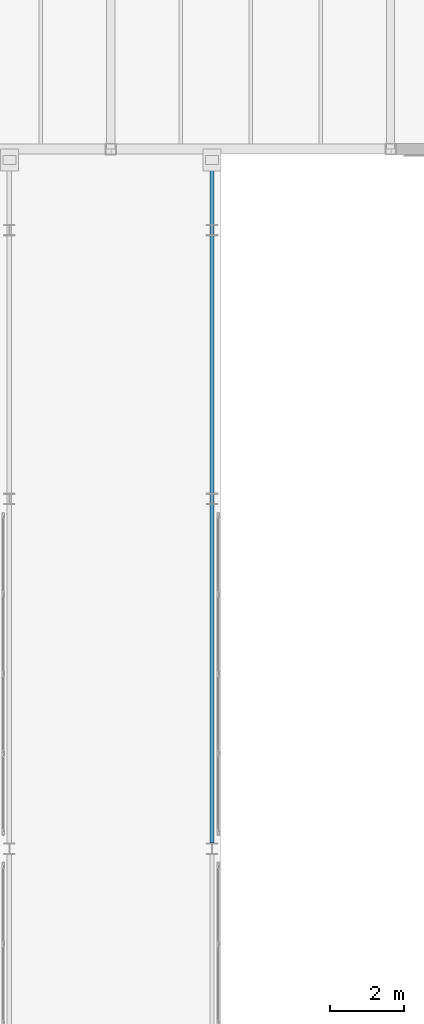
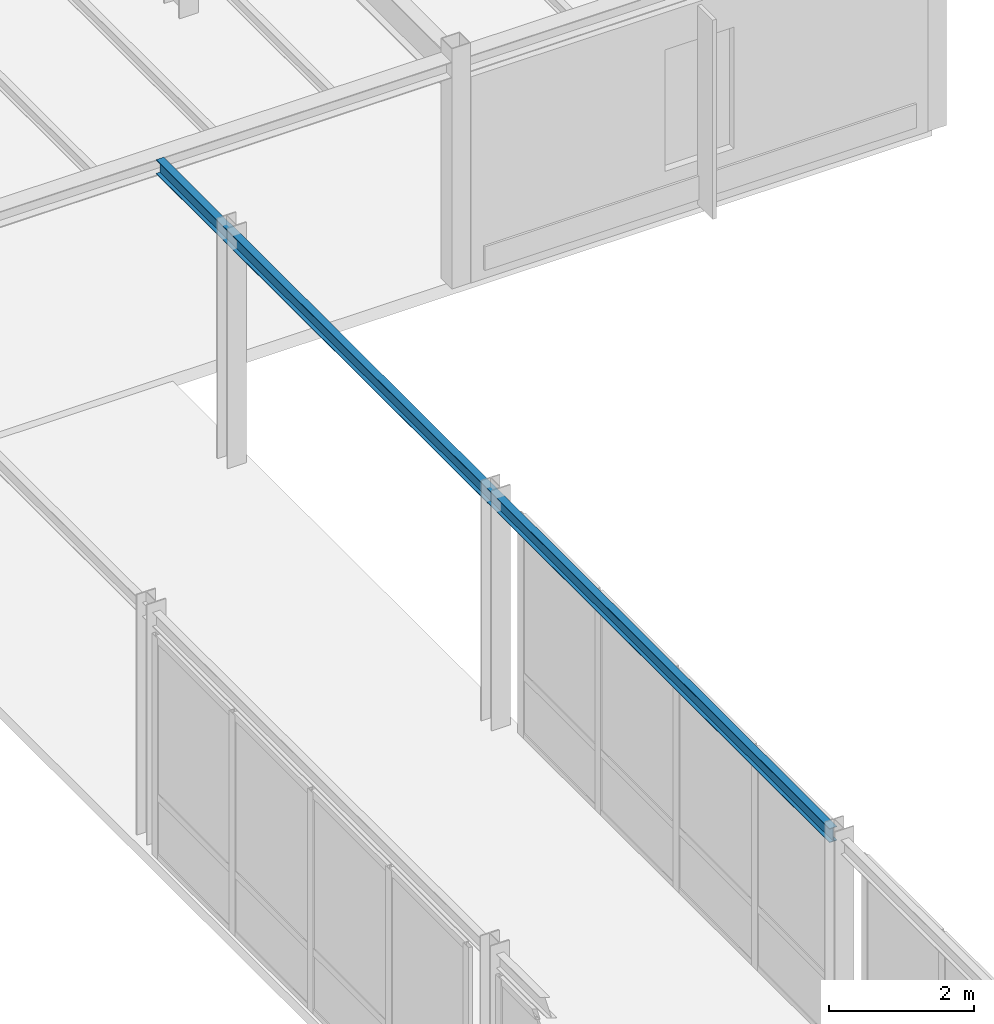
# One storey, part 46 of 165: 1 beam.
"""IFC4 building model written with IfcOpenShell, lengths in metres."""

import ifcopenshell
import ifcopenshell.guid

model = None  # the IFC model being written
_history = None  # IfcOwnerHistory: only IFC2X3 demands one
_inside = {}  # id of a spatial element -> (the spatial element, [elements in it])
_under = {}  # id of a project, library or spatial element -> (it, [spatial elements below it])
_declared = {}  # id of a project -> (the project, [libraries it declares])
_typed = {}  # id of a type object -> (the type object, [elements of that type])
_made_of = {}  # id of a material, layer set ... -> (it, [elements and type objects made of it])


def new_model(schema):
    """Start an empty IFC model of exactly this schema.

    Asked for "IFC4X3", IfcOpenShell would pick the latest addendum, in which some entities
    have other attributes; the version numbers below select the first issue.
    IFC2X3 requires an IfcOwnerHistory on every rooted entity: one is made here for all.
    """
    global model, _history
    if schema == "IFC4X3":
        model = ifcopenshell.file(schema_version=(4, 3, 0, 0))
    else:
        model = ifcopenshell.file(schema=schema)
    _inside.clear()
    _under.clear()
    _declared.clear()
    _typed.clear()
    _made_of.clear()
    _history = None
    if model.schema == "IFC2X3":
        org = make("IfcOrganization", Name="unknown")
        user = make(
            "IfcPersonAndOrganization",
            ThePerson=make("IfcPerson", FamilyName="unknown"),
            TheOrganization=org,
        )
        app = make(
            "IfcApplication",
            ApplicationDeveloper=org,
            Version="unknown",
            ApplicationFullName="unknown",
            ApplicationIdentifier="unknown",
        )
        _history = make(
            "IfcOwnerHistory",
            OwningUser=user,
            OwningApplication=app,
            ChangeAction="ADDED",
            CreationDate=0,
        )
    return model


def make(cls, **values):
    """One entity of the class cls with the attributes given. An attribute that is None is left unset."""
    return model.create_entity(
        cls, **{name: value for name, value in values.items() if value is not None}
    )


def rooted(cls, **values):
    """An entity with a GlobalId (a new one), such as an element, a storey or a relation."""
    return make(cls, GlobalId=ifcopenshell.guid.new(), OwnerHistory=_history, **values)


def si_unit(unit_type, name, prefix=None):
    """IfcSIUnit, for example si_unit("LENGTHUNIT", "METRE", prefix="MILLI")."""
    return make("IfcSIUnit", UnitType=unit_type, Prefix=prefix, Name=name)


def assignment(units):
    """IfcUnitAssignment: the units of a project."""
    return None if units is None else make("IfcUnitAssignment", Units=units)


def point(xyz):
    """IfcCartesianPoint."""
    return None if xyz is None else make("IfcCartesianPoint", Coordinates=xyz)


def direction(xyz):
    """IfcDirection."""
    return None if xyz is None else make("IfcDirection", DirectionRatios=xyz)


def frame(location, z_axis=None, x_axis=None):
    """IfcAxis2Placement3D, a coordinate frame: its origin and axes. An axis left out is left unset."""
    return make(
        "IfcAxis2Placement3D",
        Location=point(location),
        Axis=direction(z_axis),
        RefDirection=direction(x_axis),
    )


def frame_2d(location, x_axis=None):
    """IfcAxis2Placement2D, a coordinate frame in the plane: its origin and x axis."""
    return make(
        "IfcAxis2Placement2D", Location=point(location), RefDirection=direction(x_axis)
    )


def origin():
    """The frame at (0, 0, 0) with its axes left unset."""
    return frame((0.0, 0.0, 0.0))


def origin_2d():
    """The frame at (0, 0) in the plane with its x axis left unset."""
    return frame_2d((0.0, 0.0))


def place(relative_to, where):
    """IfcLocalPlacement: puts the frame where relative to a parent placement (None: the world)."""
    return make(
        "IfcLocalPlacement", PlacementRelTo=relative_to, RelativePlacement=where
    )


def context(
    kind, dimensions, precision=None, world=None, true_north=None, identifier=None
):
    """IfcGeometricRepresentationContext, for example the 3D "Model" context."""
    return make(
        "IfcGeometricRepresentationContext",
        ContextIdentifier=identifier,
        ContextType=kind,
        CoordinateSpaceDimension=dimensions,
        Precision=precision,
        WorldCoordinateSystem=world,
        TrueNorth=true_north,
    )


def subcontext(parent, identifier, kind, view, scale=None):
    """IfcGeometricRepresentationSubContext, for example "Body" below "Model"."""
    return make(
        "IfcGeometricRepresentationSubContext",
        ContextIdentifier=identifier,
        ContextType=kind,
        ParentContext=parent,
        TargetScale=scale,
        TargetView=view,
    )


def project(units=None, contexts=None):
    """IfcProject with its units and contexts."""
    return rooted(
        "IfcProject",
        Name="project",
        RepresentationContexts=contexts,
        UnitsInContext=assignment(units),
    )


def spatial(cls, under=None, at=None, **own):
    """A site, building, storey or space (cls), placed at a placement, below another one or the project."""
    s = rooted(cls, ObjectPlacement=at, **own)
    if under is not None:
        _under.setdefault(under.id(), (under, []))[1].append(s)
    return s


def profile(cls, at=None, kind="AREA", **sizes):
    """A parametric profile (cls). Its sizes go by their IFC names, for example OverallWidth=200.0."""
    return make(cls, ProfileType=kind, Position=at, **sizes)


def i_section(**sizes):
    """IfcIShapeProfileDef."""
    return profile("IfcIShapeProfileDef", **sizes)


def extrude(swept, where, along, depth):
    """IfcExtrudedAreaSolid: the profile swept, set in the frame where, extruded along a direction by depth."""
    return make(
        "IfcExtrudedAreaSolid",
        SweptArea=swept,
        Position=where,
        ExtrudedDirection=direction(along),
        Depth=depth,
    )


def shape(context_of_items, identifier, shape_type, items):
    """IfcShapeRepresentation: the items that make up one representation, for example the "Body"."""
    return make(
        "IfcShapeRepresentation",
        ContextOfItems=context_of_items,
        RepresentationIdentifier=identifier,
        RepresentationType=shape_type,
        Items=items,
    )


def material(Name=None, Category=None):
    """IfcMaterial."""
    return make("IfcMaterial", Name=Name, Category=Category)


def material_profile(
    of_material, cross_section, Name=None, Category=None, Priority=None
):
    """IfcMaterialProfile: a cross section and its material."""
    return make(
        "IfcMaterialProfile",
        Name=Name,
        Material=of_material,
        Profile=cross_section,
        Priority=Priority,
        Category=Category,
    )


def profile_set(profiles, Name=None, composite=None):
    """IfcMaterialProfileSet."""
    return make(
        "IfcMaterialProfileSet",
        Name=Name,
        MaterialProfiles=profiles,
        CompositeProfile=composite,
    )


def made_of(thing, what):
    """Note that an element or type object is made of a material, layer set ...; save() writes the relation."""
    if what is not None:
        _made_of.setdefault(what.id(), (what, []))[1].append(thing)
    return thing


def type_object(cls, material=None, **own):
    """A type object (cls), such as IfcWallType, which elements share."""
    return made_of(rooted(cls, **own), material)


def element(
    cls,
    number,
    at=None,
    inside=None,
    cuts=None,
    type_object=None,
    material=None,
    context=None,
    identifier="Body",
    shape_type=None,
    held_by="IfcProductDefinitionShape",
    body=None,
    shapes=None,
    **own,
):
    """One element of the class cls, such as IfcWall. Its Tag is "e" and its number.

    at: its placement. inside: the storey or other place that contains it. cuts: it is an
    opening in that element (IfcRelVoidsElement). A single representation is given by context,
    identifier, shape_type and body (its items); several are given by shapes. held_by: the class
    of the entity that holds the representations. save() writes the other relations.
    """
    e = rooted(cls, Tag="e%d" % number, ObjectPlacement=at, **own)
    if body is not None:
        shapes = [shape(context, identifier, shape_type, body)]
    if shapes is not None:
        e.Representation = make(held_by, Representations=shapes)
    if inside is not None:
        _inside.setdefault(inside.id(), (inside, []))[1].append(e)
    if cuts is not None:
        rooted(
            "IfcRelVoidsElement", RelatingBuildingElement=cuts, RelatedOpeningElement=e
        )
    if type_object is not None:
        _typed.setdefault(type_object.id(), (type_object, []))[1].append(e)
    return made_of(e, material)


def aggregate(whole, parts):
    """IfcRelAggregates: a whole, such as a stair, and the parts it consists of."""
    return rooted("IfcRelAggregates", RelatingObject=whole, RelatedObjects=parts)


def save(model, path):
    """Write the relations noted so far, then the file.

    IfcRelAggregates (storeys below a building ...), IfcRelContainedInSpatialStructure (elements
    in a storey), IfcRelDefinesByType, IfcRelAssociatesMaterial and IfcRelDeclares: one each for
    every whole, place, type object, material and project.
    """
    for whole, parts in _under.values():
        aggregate(whole, parts)
    for where, things in _inside.values():
        rooted(
            "IfcRelContainedInSpatialStructure",
            RelatedElements=things,
            RelatingStructure=where,
        )
    for kind, things in _typed.values():
        rooted("IfcRelDefinesByType", RelatedObjects=things, RelatingType=kind)
    for what, things in _made_of.values():
        rooted("IfcRelAssociatesMaterial", RelatedObjects=things, RelatingMaterial=what)
    for by, libraries in _declared.values():
        rooted("IfcRelDeclares", RelatingContext=by, RelatedDefinitions=libraries)
    model.write(path)


model = new_model("IFC4")

# Units and contexts
model_context = context("Model", 3, precision=1e-05, world=origin(), true_north=direction((0.0, 1.0)))
body_context = subcontext(model_context, "Body", "Model", "MODEL_VIEW")
ifc_project = project(units=[si_unit("LENGTHUNIT", "METRE"), si_unit("AREAUNIT", "SQUARE_METRE"), si_unit("VOLUMEUNIT", "CUBIC_METRE"), si_unit("PLANEANGLEUNIT", "RADIAN"), si_unit("MASSUNIT", "GRAM", prefix="KILO")], contexts=[model_context])

# Site, building, storey
site_placement = place(None, origin())
site = spatial("IfcSite", under=ifc_project, at=site_placement, CompositionType="ELEMENT")
building_placement = place(site_placement, origin())
building = spatial("IfcBuilding", under=site, at=building_placement, Name="Montecoro Central Library", CompositionType="ELEMENT")
storey_placement = place(building_placement, frame((0.0, 0.0, 5.10009765625)))
storey = spatial("IfcBuildingStorey", under=building, at=storey_placement, Name="L01", CompositionType="ELEMENT", Elevation=5.10009765625)

# Beam
ifc_material = material(Name="Steel S355", Category="steel")
ifc_material_profile = material_profile(ifc_material, i_section(OverallWidth=0.1201171875, OverallDepth=0.239990234375, WebThickness=0.006103515625, FlangeThickness=0.009765625, at=origin_2d()), Name="IPE 240")
ifc_profile_set = profile_set([ifc_material_profile], Name="Steel S355")
beam_type = type_object("IfcBeamType", Name="BM-SP-IPE240", PredefinedType="SPANDREL", material=ifc_profile_set)
beam_placement = place(storey_placement, frame((30.550048828125, 54.56005859375, 3.77490234375), z_axis=(0.0, 1.0, 0.0), x_axis=(-1.0, 0.0, 0.0)))
element("IfcBeam", 1, at=beam_placement, inside=storey, type_object=beam_type, Name="BR-W-L02-BM-E2", PredefinedType="SPANDREL", context=body_context, shape_type="SweptSolid", body=[
    extrude(i_section(OverallWidth=0.1201171875, OverallDepth=0.239990234375, WebThickness=0.006103515625, FlangeThickness=0.009765625, at=origin_2d()), origin(), (0.0, 0.0, 1.0), 18.619873046875),
])

save(model, "model.ifc")
